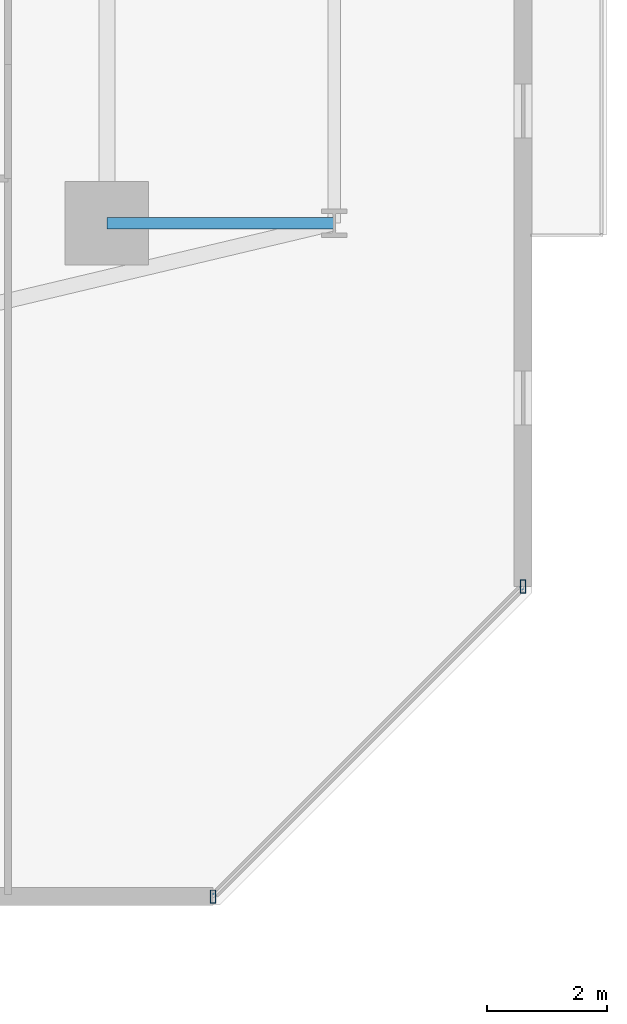
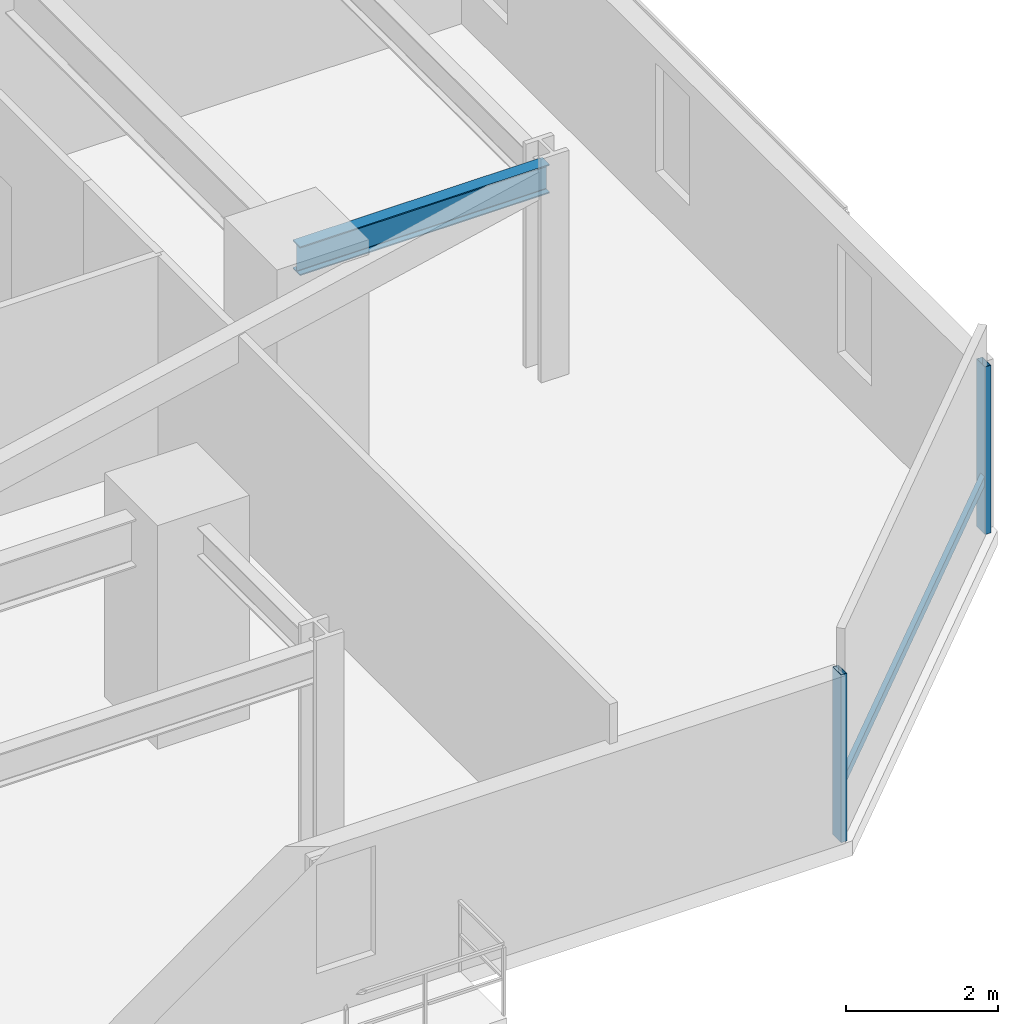
# One storey, part 12 of 33: 3 members, 1 beam, 1 element without a shape of its own.
"""IFC4 building model written with IfcOpenShell, lengths in metres."""

import ifcopenshell
import ifcopenshell.guid

model = None  # the IFC model being written
_history = None  # IfcOwnerHistory: only IFC2X3 demands one
_inside = {}  # id of a spatial element -> (the spatial element, [elements in it])
_under = {}  # id of a project, library or spatial element -> (it, [spatial elements below it])
_declared = {}  # id of a project -> (the project, [libraries it declares])
_typed = {}  # id of a type object -> (the type object, [elements of that type])
_made_of = {}  # id of a material, layer set ... -> (it, [elements and type objects made of it])


def new_model(schema):
    """Start an empty IFC model of exactly this schema.

    Asked for "IFC4X3", IfcOpenShell would pick the latest addendum, in which some entities
    have other attributes; the version numbers below select the first issue.
    IFC2X3 requires an IfcOwnerHistory on every rooted entity: one is made here for all.
    """
    global model, _history
    if schema == "IFC4X3":
        model = ifcopenshell.file(schema_version=(4, 3, 0, 0))
    else:
        model = ifcopenshell.file(schema=schema)
    _inside.clear()
    _under.clear()
    _declared.clear()
    _typed.clear()
    _made_of.clear()
    _history = None
    if model.schema == "IFC2X3":
        org = make("IfcOrganization", Name="unknown")
        user = make(
            "IfcPersonAndOrganization",
            ThePerson=make("IfcPerson", FamilyName="unknown"),
            TheOrganization=org,
        )
        app = make(
            "IfcApplication",
            ApplicationDeveloper=org,
            Version="unknown",
            ApplicationFullName="unknown",
            ApplicationIdentifier="unknown",
        )
        _history = make(
            "IfcOwnerHistory",
            OwningUser=user,
            OwningApplication=app,
            ChangeAction="ADDED",
            CreationDate=0,
        )
    return model


def make(cls, **values):
    """One entity of the class cls with the attributes given. An attribute that is None is left unset."""
    return model.create_entity(
        cls, **{name: value for name, value in values.items() if value is not None}
    )


def rooted(cls, **values):
    """An entity with a GlobalId (a new one), such as an element, a storey or a relation."""
    return make(cls, GlobalId=ifcopenshell.guid.new(), OwnerHistory=_history, **values)


def si_unit(unit_type, name, prefix=None):
    """IfcSIUnit, for example si_unit("LENGTHUNIT", "METRE", prefix="MILLI")."""
    return make("IfcSIUnit", UnitType=unit_type, Prefix=prefix, Name=name)


def assignment(units):
    """IfcUnitAssignment: the units of a project."""
    return None if units is None else make("IfcUnitAssignment", Units=units)


def point(xyz):
    """IfcCartesianPoint."""
    return None if xyz is None else make("IfcCartesianPoint", Coordinates=xyz)


def direction(xyz):
    """IfcDirection."""
    return None if xyz is None else make("IfcDirection", DirectionRatios=xyz)


def frame(location, z_axis=None, x_axis=None):
    """IfcAxis2Placement3D, a coordinate frame: its origin and axes. An axis left out is left unset."""
    return make(
        "IfcAxis2Placement3D",
        Location=point(location),
        Axis=direction(z_axis),
        RefDirection=direction(x_axis),
    )


def frame_2d(location, x_axis=None):
    """IfcAxis2Placement2D, a coordinate frame in the plane: its origin and x axis."""
    return make(
        "IfcAxis2Placement2D", Location=point(location), RefDirection=direction(x_axis)
    )


def origin():
    """The frame at (0, 0, 0) with its axes left unset."""
    return frame((0.0, 0.0, 0.0))


def origin_2d():
    """The frame at (0, 0) in the plane with its x axis left unset."""
    return frame_2d((0.0, 0.0))


def place(relative_to, where):
    """IfcLocalPlacement: puts the frame where relative to a parent placement (None: the world)."""
    return make(
        "IfcLocalPlacement", PlacementRelTo=relative_to, RelativePlacement=where
    )


def context(
    kind, dimensions, precision=None, world=None, true_north=None, identifier=None
):
    """IfcGeometricRepresentationContext, for example the 3D "Model" context."""
    return make(
        "IfcGeometricRepresentationContext",
        ContextIdentifier=identifier,
        ContextType=kind,
        CoordinateSpaceDimension=dimensions,
        Precision=precision,
        WorldCoordinateSystem=world,
        TrueNorth=true_north,
    )


def subcontext(parent, identifier, kind, view, scale=None):
    """IfcGeometricRepresentationSubContext, for example "Body" below "Model"."""
    return make(
        "IfcGeometricRepresentationSubContext",
        ContextIdentifier=identifier,
        ContextType=kind,
        ParentContext=parent,
        TargetScale=scale,
        TargetView=view,
    )


def project(units=None, contexts=None):
    """IfcProject with its units and contexts."""
    return rooted(
        "IfcProject",
        Name="project",
        RepresentationContexts=contexts,
        UnitsInContext=assignment(units),
    )


def spatial(cls, under=None, at=None, **own):
    """A site, building, storey or space (cls), placed at a placement, below another one or the project."""
    s = rooted(cls, ObjectPlacement=at, **own)
    if under is not None:
        _under.setdefault(under.id(), (under, []))[1].append(s)
    return s


def profile(cls, at=None, kind="AREA", **sizes):
    """A parametric profile (cls). Its sizes go by their IFC names, for example OverallWidth=200.0."""
    return make(cls, ProfileType=kind, Position=at, **sizes)


def hollow_rectangle(**sizes):
    """IfcRectangleHollowProfileDef."""
    return profile("IfcRectangleHollowProfileDef", **sizes)


def i_section(**sizes):
    """IfcIShapeProfileDef."""
    return profile("IfcIShapeProfileDef", **sizes)


def extrude(swept, where, along, depth):
    """IfcExtrudedAreaSolid: the profile swept, set in the frame where, extruded along a direction by depth."""
    return make(
        "IfcExtrudedAreaSolid",
        SweptArea=swept,
        Position=where,
        ExtrudedDirection=direction(along),
        Depth=depth,
    )


def shape(context_of_items, identifier, shape_type, items):
    """IfcShapeRepresentation: the items that make up one representation, for example the "Body"."""
    return make(
        "IfcShapeRepresentation",
        ContextOfItems=context_of_items,
        RepresentationIdentifier=identifier,
        RepresentationType=shape_type,
        Items=items,
    )


def material(Name=None, Category=None):
    """IfcMaterial."""
    return make("IfcMaterial", Name=Name, Category=Category)


def material_profile(
    of_material, cross_section, Name=None, Category=None, Priority=None
):
    """IfcMaterialProfile: a cross section and its material."""
    return make(
        "IfcMaterialProfile",
        Name=Name,
        Material=of_material,
        Profile=cross_section,
        Priority=Priority,
        Category=Category,
    )


def profile_set(profiles, Name=None, composite=None):
    """IfcMaterialProfileSet."""
    return make(
        "IfcMaterialProfileSet",
        Name=Name,
        MaterialProfiles=profiles,
        CompositeProfile=composite,
    )


def made_of(thing, what):
    """Note that an element or type object is made of a material, layer set ...; save() writes the relation."""
    if what is not None:
        _made_of.setdefault(what.id(), (what, []))[1].append(thing)
    return thing


def type_object(cls, material=None, **own):
    """A type object (cls), such as IfcWallType, which elements share."""
    return made_of(rooted(cls, **own), material)


def element(
    cls,
    number,
    at=None,
    inside=None,
    cuts=None,
    type_object=None,
    material=None,
    context=None,
    identifier="Body",
    shape_type=None,
    held_by="IfcProductDefinitionShape",
    body=None,
    shapes=None,
    **own,
):
    """One element of the class cls, such as IfcWall. Its Tag is "e" and its number.

    at: its placement. inside: the storey or other place that contains it. cuts: it is an
    opening in that element (IfcRelVoidsElement). A single representation is given by context,
    identifier, shape_type and body (its items); several are given by shapes. held_by: the class
    of the entity that holds the representations. save() writes the other relations.
    """
    e = rooted(cls, Tag="e%d" % number, ObjectPlacement=at, **own)
    if body is not None:
        shapes = [shape(context, identifier, shape_type, body)]
    if shapes is not None:
        e.Representation = make(held_by, Representations=shapes)
    if inside is not None:
        _inside.setdefault(inside.id(), (inside, []))[1].append(e)
    if cuts is not None:
        rooted(
            "IfcRelVoidsElement", RelatingBuildingElement=cuts, RelatedOpeningElement=e
        )
    if type_object is not None:
        _typed.setdefault(type_object.id(), (type_object, []))[1].append(e)
    return made_of(e, material)


def aggregate(whole, parts):
    """IfcRelAggregates: a whole, such as a stair, and the parts it consists of."""
    return rooted("IfcRelAggregates", RelatingObject=whole, RelatedObjects=parts)


def save(model, path):
    """Write the relations noted so far, then the file.

    IfcRelAggregates (storeys below a building ...), IfcRelContainedInSpatialStructure (elements
    in a storey), IfcRelDefinesByType, IfcRelAssociatesMaterial and IfcRelDeclares: one each for
    every whole, place, type object, material and project.
    """
    for whole, parts in _under.values():
        aggregate(whole, parts)
    for where, things in _inside.values():
        rooted(
            "IfcRelContainedInSpatialStructure",
            RelatedElements=things,
            RelatingStructure=where,
        )
    for kind, things in _typed.values():
        rooted("IfcRelDefinesByType", RelatedObjects=things, RelatingType=kind)
    for what, things in _made_of.values():
        rooted("IfcRelAssociatesMaterial", RelatedObjects=things, RelatingMaterial=what)
    for by, libraries in _declared.values():
        rooted("IfcRelDeclares", RelatingContext=by, RelatedDefinitions=libraries)
    model.write(path)


model = new_model("IFC4")

# Units and contexts
model_context = context("Model", 3, precision=1e-05, world=origin(), true_north=direction((0.0, 1.0)))
body_context = subcontext(model_context, "Body", "Model", "MODEL_VIEW")
ifc_project = project(units=[si_unit("LENGTHUNIT", "METRE"), si_unit("AREAUNIT", "SQUARE_METRE"), si_unit("VOLUMEUNIT", "CUBIC_METRE"), si_unit("PLANEANGLEUNIT", "RADIAN"), si_unit("MASSUNIT", "GRAM", prefix="KILO")], contexts=[model_context])

# Site, building, storey
site_placement = place(None, origin())
site = spatial("IfcSite", under=ifc_project, at=site_placement, CompositionType="ELEMENT")
building_placement = place(site_placement, origin())
building = spatial("IfcBuilding", under=site, at=building_placement, Name="Thornwick Lancets Civic Towers", CompositionType="ELEMENT")
storey_placement = place(building_placement, frame((0.0, 0.0, 38.699951171875)))
storey = spatial("IfcBuildingStorey", under=building, at=storey_placement, Name="L09", CompositionType="ELEMENT", Elevation=38.699951171875)

# Beam
ifc_material_1 = material(Name="Steel S355JR", Category="steel")
ifc_material_profile_1 = material_profile(ifc_material_1, i_section(OverallWidth=0.19189453125, OverallDepth=0.46337890625, WebThickness=0.010498046875, FlangeThickness=0.017578125, FilletRadius=0.01025390625, at=origin_2d()), Name="UKB 457x191x89")
ifc_profile_set_1 = profile_set([ifc_material_profile_1], Name="Steel S355JR")
beam_type = type_object("IfcBeamType", Name="BM_JOIST_457_89", PredefinedType="JOIST", material=ifc_profile_set_1)
beam_placement = place(storey_placement, frame((105.800048828125, 14.0, 3.12841796875), z_axis=(1.0, 0.0, 0.0), x_axis=(0.0, 1.0, 0.0)))
element("IfcBeam", 1, at=beam_placement, inside=storey, type_object=beam_type, Name="BM-RAD-L09-B01", PredefinedType="JOIST", context=body_context, shape_type="SweptSolid", body=[
    extrude(i_section(OverallWidth=0.19189453125, OverallDepth=0.46337890625, WebThickness=0.010498046875, FlangeThickness=0.017578125, FilletRadius=0.01025390625, at=origin_2d()), origin(), (0.0, 0.0, 1.0), 3.800048828125),
])

# Curtain wall, members
ifc_material_2 = material(Name="Low-zone chamfered-corner unitised glass curtain wall", Category="glass")
curtain_wall_type = type_object("IfcCurtainWallType", Name="CW_SYS_03", PredefinedType="NOTDEFINED", material=ifc_material_2)
curtain_wall_placement = place(storey_placement, origin())
curtain_wall = element("IfcCurtainWall", 2, at=curtain_wall_placement, inside=storey, type_object=curtain_wall_type, Name="L09 Curtain Wall CW-L09-B-E1", PredefinedType="NOTDEFINED")
ifc_material_3 = material(Name="Thermally broken bronze aluminium S355", Category="steel")
ifc_material_profile_2 = material_profile(ifc_material_3, hollow_rectangle(XDim=0.090087890625, YDim=0.219970703125, WallThickness=0.00634765625, at=origin_2d()), Name="RHS 220x90x6.3")
ifc_profile_set_2 = profile_set([ifc_material_profile_2], Name="Thermally broken bronze aluminium S355")
member_type_1 = type_object("IfcMemberType", Name="CW_MUL_220", PredefinedType="MULLION", material=ifc_profile_set_2)
member_1_placement = place(storey_placement, frame((107.573486328125, 2.74365234375, 0.0), z_axis=(0.0, 0.0, 1.0), x_axis=(1.0, 0.0, 0.0)))
member_1 = element("IfcMember", 3, at=member_1_placement, type_object=member_type_1, Name="CW-L09-B-E1 Mullion 0", PredefinedType="MULLION", context=body_context, shape_type="SweptSolid", body=[
    extrude(hollow_rectangle(XDim=0.090087890625, YDim=0.219970703125, WallThickness=0.00634765625, at=origin_2d()), origin(), (0.0, 0.0, 1.0), 2.699951171875),
])
member_2_placement = place(storey_placement, frame((112.75634765625, 7.926513671875, 0.0), z_axis=(0.0, 0.0, 1.0), x_axis=(1.0, 0.0, 0.0)))
member_2 = element("IfcMember", 4, at=member_2_placement, type_object=member_type_1, Name="CW-L09-B-E1 Mullion 1", PredefinedType="MULLION", context=body_context, shape_type="SweptSolid", body=[
    extrude(hollow_rectangle(XDim=0.090087890625, YDim=0.219970703125, WallThickness=0.00634765625, at=origin_2d()), origin(), (0.0, 0.0, 1.0), 2.699951171875),
])
ifc_material_profile_3 = material_profile(ifc_material_3, hollow_rectangle(XDim=0.074951171875, YDim=0.14990234375, WallThickness=0.0048828125, at=origin_2d()), Name="RHS 150x75x5")
ifc_profile_set_3 = profile_set([ifc_material_profile_3], Name="Thermally broken bronze aluminium S355")
member_type_2 = type_object("IfcMemberType", Name="CW_TRN_150", PredefinedType="USERDEFINED", material=ifc_profile_set_3)
member_3_placement = place(storey_placement, frame((107.58740234375, 2.7578125, 0.85009765625), z_axis=(0.707106781187, 0.707106781187, 0.0), x_axis=(-0.707106781187, 0.707106781187, 0.0)))
member_3 = element("IfcMember", 5, at=member_3_placement, type_object=member_type_2, Name="CW-L09-B-E1 Transom 0", ObjectType="TRANSOM", PredefinedType="USERDEFINED", context=body_context, shape_type="SweptSolid", body=[
    extrude(hollow_rectangle(XDim=0.074951171875, YDim=0.14990234375, WallThickness=0.0048828125, at=origin_2d()), origin(), (0.0, 0.0, 1.0), 7.2900390625),
])
aggregate(curtain_wall, [member_1, member_2, member_3])

save(model, "model.ifc")
